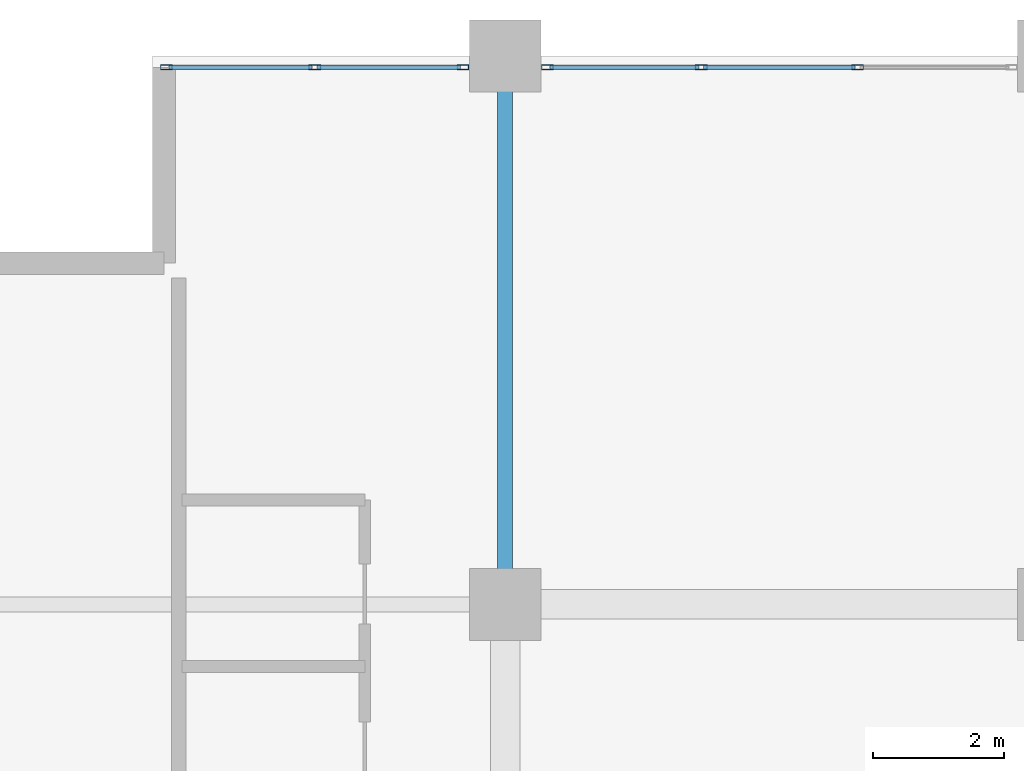
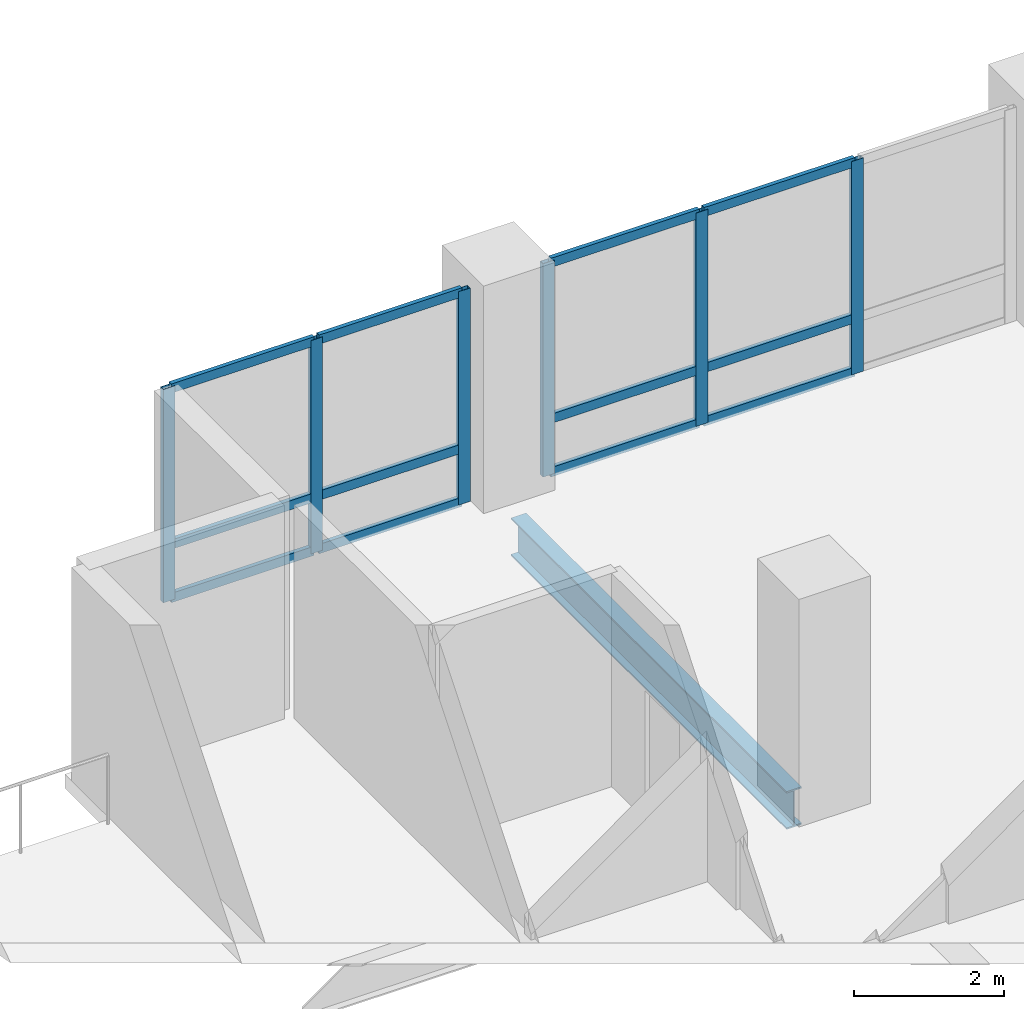
# One storey, part 3 of 18: 18 members, 1 beam, 2 elements without a shape of their own.
"""IFC4 building model written with IfcOpenShell, lengths in metres."""

from ifc_helpers import new_model, si_unit, direction, frame, origin, origin_2d, place, context, subcontext, project, spatial, hollow_rectangle, i_section, extrude, material, layer, layer_set, material_profile, profile_set, type_object, element, aggregate, save


model = new_model("IFC4")

# Units and contexts
model_context = context("Model", 3, precision=1e-05, world=origin(), true_north=direction((0.0, 1.0)))
body_context = subcontext(model_context, "Body", "Model", "MODEL_VIEW")
ifc_project = project(units=[si_unit("LENGTHUNIT", "METRE"), si_unit("AREAUNIT", "SQUARE_METRE"), si_unit("VOLUMEUNIT", "CUBIC_METRE"), si_unit("PLANEANGLEUNIT", "RADIAN"), si_unit("MASSUNIT", "GRAM", prefix="KILO")], contexts=[model_context])

# Site, building, storey
site_placement = place(None, origin())
site = spatial("IfcSite", under=ifc_project, at=site_placement, CompositionType="ELEMENT")
building_placement = place(site_placement, origin())
building = spatial("IfcBuilding", under=site, at=building_placement, Name="Koriwani Terraces Tower", CompositionType="ELEMENT")
storey_placement = place(building_placement, frame((0.0, 0.0, 205.0)))
storey = spatial("IfcBuildingStorey", under=building, at=storey_placement, Name="L50", CompositionType="ELEMENT", Elevation=205.0)

# Curtain wall, members
ifc_material_1 = material(Name="Anodised Bronze Aluminium", Category="aluminium")
ifc_layer = layer(ifc_material_1, 0.169921875, Name="Anodised Bronze Aluminium")
ifc_layer_set = layer_set([ifc_layer], Name="Anodised Bronze Aluminium")
curtain_wall_type = type_object("IfcCurtainWallType", Name="CW_RES_ZONE3", PredefinedType="NOTDEFINED", material=ifc_layer_set)
curtain_wall_1_placement = place(storey_placement, origin())
curtain_wall_1 = element("IfcCurtainWall", 1, at=curtain_wall_1_placement, inside=storey, type_object=curtain_wall_type, Name="L50 Unitised Curtain Wall (N_TIP) Bay 1", PredefinedType="NOTDEFINED")
ifc_material_profile_1 = material_profile(ifc_material_1, hollow_rectangle(XDim=0.074951171875, YDim=0.179931640625, WallThickness=0.006103515625, at=origin_2d()), Name="Anodised Bronze Aluminium", Category="LoadBearing")
ifc_profile_set_1 = profile_set([ifc_material_profile_1], Name="Anodised Bronze Aluminium")
member_type_1 = type_object("IfcMemberType", Name="CW_MULLION_180X75", PredefinedType="MULLION", material=ifc_profile_set_1)
member_1_placement = place(storey_placement, frame((3.21240234375, 75.425048828125, 0.0), z_axis=(0.0, 0.0, 1.0), x_axis=(0.0, 1.0, 0.0)))
member_1 = element("IfcMember", 2, at=member_1_placement, type_object=member_type_1, Name="CW-Z3 mullion 1", PredefinedType="MULLION", context=body_context, shape_type="SweptSolid", body=[
    extrude(hollow_rectangle(XDim=0.074951171875, YDim=0.179931640625, WallThickness=0.006103515625, at=origin_2d()), origin(), (0.0, 0.0, 1.0), 3.469970703125),
])
member_2_placement = place(storey_placement, frame((5.482421875, 75.425048828125, 0.0), z_axis=(0.0, 0.0, 1.0), x_axis=(0.0, 1.0, 0.0)))
member_2 = element("IfcMember", 3, at=member_2_placement, type_object=member_type_1, Name="CW-Z3 mullion 2", PredefinedType="MULLION", context=body_context, shape_type="SweptSolid", body=[
    extrude(hollow_rectangle(XDim=0.074951171875, YDim=0.179931640625, WallThickness=0.006103515625, at=origin_2d()), origin(), (0.0, 0.0, 1.0), 3.469970703125),
])
member_3_placement = place(storey_placement, frame((7.75244140625, 75.425048828125, 0.0), z_axis=(0.0, 0.0, 1.0), x_axis=(0.0, 1.0, 0.0)))
member_3 = element("IfcMember", 4, at=member_3_placement, type_object=member_type_1, Name="CW-Z3 mullion 3", PredefinedType="MULLION", context=body_context, shape_type="SweptSolid", body=[
    extrude(hollow_rectangle(XDim=0.074951171875, YDim=0.179931640625, WallThickness=0.006103515625, at=origin_2d()), origin(), (0.0, 0.0, 1.0), 3.469970703125),
])

curtain_wall_2_placement = place(storey_placement, origin())
curtain_wall_2 = element("IfcCurtainWall", 5, at=curtain_wall_2_placement, inside=storey, type_object=curtain_wall_type, Name="L50 Unitised Curtain Wall (N_TIP) Bay 2", PredefinedType="NOTDEFINED")
member_4_placement = place(storey_placement, frame((9.047607421875, 75.425048828125, 0.0), z_axis=(0.0, 0.0, 1.0), x_axis=(0.0, 1.0, 0.0)))
member_4 = element("IfcMember", 6, at=member_4_placement, type_object=member_type_1, Name="CW-Z3 mullion 1", PredefinedType="MULLION", context=body_context, shape_type="SweptSolid", body=[
    extrude(hollow_rectangle(XDim=0.074951171875, YDim=0.179931640625, WallThickness=0.006103515625, at=origin_2d()), origin(), (0.0, 0.0, 1.0), 3.469970703125),
])
member_5_placement = place(storey_placement, frame((11.4033203125, 75.425048828125, 0.0), z_axis=(0.0, 0.0, 1.0), x_axis=(0.0, 1.0, 0.0)))
member_5 = element("IfcMember", 7, at=member_5_placement, type_object=member_type_1, Name="CW-Z3 mullion 2", PredefinedType="MULLION", context=body_context, shape_type="SweptSolid", body=[
    extrude(hollow_rectangle(XDim=0.074951171875, YDim=0.179931640625, WallThickness=0.006103515625, at=origin_2d()), origin(), (0.0, 0.0, 1.0), 3.469970703125),
])
member_6_placement = place(storey_placement, frame((13.796630859375, 75.425048828125, 0.0), z_axis=(0.0, 0.0, 1.0), x_axis=(0.0, 1.0, 0.0)))
member_6 = element("IfcMember", 8, at=member_6_placement, type_object=member_type_1, Name="CW-Z3 mullion 3", PredefinedType="MULLION", context=body_context, shape_type="SweptSolid", body=[
    extrude(hollow_rectangle(XDim=0.074951171875, YDim=0.179931640625, WallThickness=0.006103515625, at=origin_2d()), origin(), (0.0, 0.0, 1.0), 3.469970703125),
])

# Member
ifc_material_profile_2 = material_profile(ifc_material_1, hollow_rectangle(XDim=0.06494140625, YDim=0.14990234375, WallThickness=0.0048828125, at=origin_2d()), Name="Anodised Bronze Aluminium", Category="LoadBearing")
ifc_profile_set_2 = profile_set([ifc_material_profile_2], Name="Anodised Bronze Aluminium")
member_type_2 = type_object("IfcMemberType", Name="CW_TRANSOM_150X65", PredefinedType="USERDEFINED", material=ifc_profile_set_2)
member_7_placement = place(storey_placement, frame((3.25, 75.425048828125, 0.032470703125), z_axis=(1.0, 0.0, 0.0), x_axis=(0.0, 1.0, 0.0)))
member_7 = element("IfcMember", 9, at=member_7_placement, type_object=member_type_2, Name="CW-Z3 transom 1.1", ObjectType="TRANSOM", PredefinedType="USERDEFINED", context=body_context, shape_type="SweptSolid", body=[
    extrude(hollow_rectangle(XDim=0.06494140625, YDim=0.14990234375, WallThickness=0.0048828125, at=origin_2d()), origin(), (0.0, 0.0, 1.0), 2.195068359375),
])

member_8_placement = place(storey_placement, frame((3.25, 75.425048828125, 0.89990234375), z_axis=(1.0, 0.0, 0.0), x_axis=(0.0, 1.0, 0.0)))
member_8 = element("IfcMember", 10, at=member_8_placement, type_object=member_type_2, Name="CW-Z3 transom 1.2", ObjectType="TRANSOM", PredefinedType="USERDEFINED", context=body_context, shape_type="SweptSolid", body=[
    extrude(hollow_rectangle(XDim=0.06494140625, YDim=0.14990234375, WallThickness=0.0048828125, at=origin_2d()), origin(), (0.0, 0.0, 1.0), 2.195068359375),
])

member_9_placement = place(storey_placement, frame((3.25, 75.425048828125, 3.4375), z_axis=(1.0, 0.0, 0.0), x_axis=(0.0, 1.0, 0.0)))
member_9 = element("IfcMember", 11, at=member_9_placement, type_object=member_type_2, Name="CW-Z3 transom 1.3", ObjectType="TRANSOM", PredefinedType="USERDEFINED", context=body_context, shape_type="SweptSolid", body=[
    extrude(hollow_rectangle(XDim=0.06494140625, YDim=0.14990234375, WallThickness=0.0048828125, at=origin_2d()), origin(), (0.0, 0.0, 1.0), 2.195068359375),
])

member_10_placement = place(storey_placement, frame((5.52001953125, 75.425048828125, 0.032470703125), z_axis=(1.0, 0.0, 0.0), x_axis=(0.0, 1.0, 0.0)))
member_10 = element("IfcMember", 12, at=member_10_placement, type_object=member_type_2, Name="CW-Z3 transom 2.1", ObjectType="TRANSOM", PredefinedType="USERDEFINED", context=body_context, shape_type="SweptSolid", body=[
    extrude(hollow_rectangle(XDim=0.06494140625, YDim=0.14990234375, WallThickness=0.0048828125, at=origin_2d()), origin(), (0.0, 0.0, 1.0), 2.195068359375),
])

member_11_placement = place(storey_placement, frame((5.52001953125, 75.425048828125, 0.89990234375), z_axis=(1.0, 0.0, 0.0), x_axis=(0.0, 1.0, 0.0)))
member_11 = element("IfcMember", 13, at=member_11_placement, type_object=member_type_2, Name="CW-Z3 transom 2.2", ObjectType="TRANSOM", PredefinedType="USERDEFINED", context=body_context, shape_type="SweptSolid", body=[
    extrude(hollow_rectangle(XDim=0.06494140625, YDim=0.14990234375, WallThickness=0.0048828125, at=origin_2d()), origin(), (0.0, 0.0, 1.0), 2.195068359375),
])

member_12_placement = place(storey_placement, frame((5.52001953125, 75.425048828125, 3.4375), z_axis=(1.0, 0.0, 0.0), x_axis=(0.0, 1.0, 0.0)))
member_12 = element("IfcMember", 14, at=member_12_placement, type_object=member_type_2, Name="CW-Z3 transom 2.3", ObjectType="TRANSOM", PredefinedType="USERDEFINED", context=body_context, shape_type="SweptSolid", body=[
    extrude(hollow_rectangle(XDim=0.06494140625, YDim=0.14990234375, WallThickness=0.0048828125, at=origin_2d()), origin(), (0.0, 0.0, 1.0), 2.195068359375),
])

aggregate(curtain_wall_1, [member_1, member_2, member_3, member_7, member_8, member_9, member_10, member_11, member_12])

member_13_placement = place(storey_placement, frame((9.0849609375, 75.425048828125, 0.032470703125), z_axis=(1.0, 0.0, 0.0), x_axis=(0.0, 1.0, 0.0)))
member_13 = element("IfcMember", 15, at=member_13_placement, type_object=member_type_2, Name="CW-Z3 transom 1.1", ObjectType="TRANSOM", PredefinedType="USERDEFINED", context=body_context, shape_type="SweptSolid", body=[
    extrude(hollow_rectangle(XDim=0.06494140625, YDim=0.14990234375, WallThickness=0.0048828125, at=origin_2d()), origin(), (0.0, 0.0, 1.0), 2.28076171875),
])

member_14_placement = place(storey_placement, frame((9.0849609375, 75.425048828125, 0.89990234375), z_axis=(1.0, 0.0, 0.0), x_axis=(0.0, 1.0, 0.0)))
member_14 = element("IfcMember", 16, at=member_14_placement, type_object=member_type_2, Name="CW-Z3 transom 1.2", ObjectType="TRANSOM", PredefinedType="USERDEFINED", context=body_context, shape_type="SweptSolid", body=[
    extrude(hollow_rectangle(XDim=0.06494140625, YDim=0.14990234375, WallThickness=0.0048828125, at=origin_2d()), origin(), (0.0, 0.0, 1.0), 2.28076171875),
])

member_15_placement = place(storey_placement, frame((9.0849609375, 75.425048828125, 3.4375), z_axis=(1.0, 0.0, 0.0), x_axis=(0.0, 1.0, 0.0)))
member_15 = element("IfcMember", 17, at=member_15_placement, type_object=member_type_2, Name="CW-Z3 transom 1.3", ObjectType="TRANSOM", PredefinedType="USERDEFINED", context=body_context, shape_type="SweptSolid", body=[
    extrude(hollow_rectangle(XDim=0.06494140625, YDim=0.14990234375, WallThickness=0.0048828125, at=origin_2d()), origin(), (0.0, 0.0, 1.0), 2.28076171875),
])

member_16_placement = place(storey_placement, frame((11.44091796875, 75.425048828125, 0.032470703125), z_axis=(1.0, 0.0, 0.0), x_axis=(0.0, 1.0, 0.0)))
member_16 = element("IfcMember", 18, at=member_16_placement, type_object=member_type_2, Name="CW-Z3 transom 2.1", ObjectType="TRANSOM", PredefinedType="USERDEFINED", context=body_context, shape_type="SweptSolid", body=[
    extrude(hollow_rectangle(XDim=0.06494140625, YDim=0.14990234375, WallThickness=0.0048828125, at=origin_2d()), origin(), (0.0, 0.0, 1.0), 2.318359375),
])

member_17_placement = place(storey_placement, frame((11.44091796875, 75.425048828125, 0.89990234375), z_axis=(1.0, 0.0, 0.0), x_axis=(0.0, 1.0, 0.0)))
member_17 = element("IfcMember", 19, at=member_17_placement, type_object=member_type_2, Name="CW-Z3 transom 2.2", ObjectType="TRANSOM", PredefinedType="USERDEFINED", context=body_context, shape_type="SweptSolid", body=[
    extrude(hollow_rectangle(XDim=0.06494140625, YDim=0.14990234375, WallThickness=0.0048828125, at=origin_2d()), origin(), (0.0, 0.0, 1.0), 2.318359375),
])

member_18_placement = place(storey_placement, frame((11.44091796875, 75.425048828125, 3.4375), z_axis=(1.0, 0.0, 0.0), x_axis=(0.0, 1.0, 0.0)))
member_18 = element("IfcMember", 20, at=member_18_placement, type_object=member_type_2, Name="CW-Z3 transom 2.3", ObjectType="TRANSOM", PredefinedType="USERDEFINED", context=body_context, shape_type="SweptSolid", body=[
    extrude(hollow_rectangle(XDim=0.06494140625, YDim=0.14990234375, WallThickness=0.0048828125, at=origin_2d()), origin(), (0.0, 0.0, 1.0), 2.318359375),
])

aggregate(curtain_wall_2, [member_4, member_5, member_6, member_13, member_14, member_15, member_16, member_17, member_18])

# Beam
ifc_material_2 = material(Name="Steel ASTM A572 Grade 50", Category="steel")
ifc_material_profile_3 = material_profile(ifc_material_2, i_section(OverallWidth=0.23095703125, OverallDepth=0.616943359375, WebThickness=0.015380859375, FlangeThickness=0.0244140625, at=origin_2d()), Name="Steel ASTM A572 Grade 50", Category="LoadBearing")
ifc_profile_set_3 = profile_set([ifc_material_profile_3], Name="Steel ASTM A572 Grade 50")
beam_type = type_object("IfcBeamType", Name="STEEL_BEAM_W610X195", PredefinedType="BEAM", material=ifc_profile_set_3)
beam_placement = place(storey_placement, frame((8.39990234375, 67.72998046875, -0.53857421875), z_axis=(0.0, 1.0, 0.0), x_axis=(-1.0, 0.0, 0.0)))
element("IfcBeam", 21, at=beam_placement, inside=storey, type_object=beam_type, Name="L50 Grid Beam 2 (67.2-75.6m)", PredefinedType="BEAM", context=body_context, shape_type="SweptSolid", body=[
    extrude(i_section(OverallWidth=0.23095703125, OverallDepth=0.616943359375, WebThickness=0.015380859375, FlangeThickness=0.0244140625, at=origin_2d()), origin(), (0.0, 0.0, 1.0), 7.340087890625),
])

save(model, "model.ifc")
